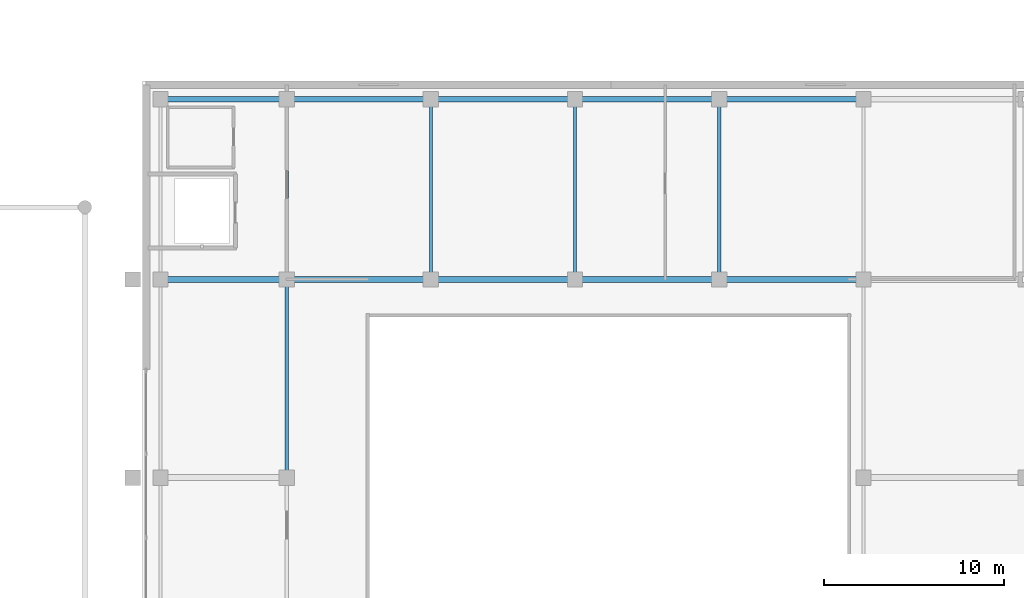
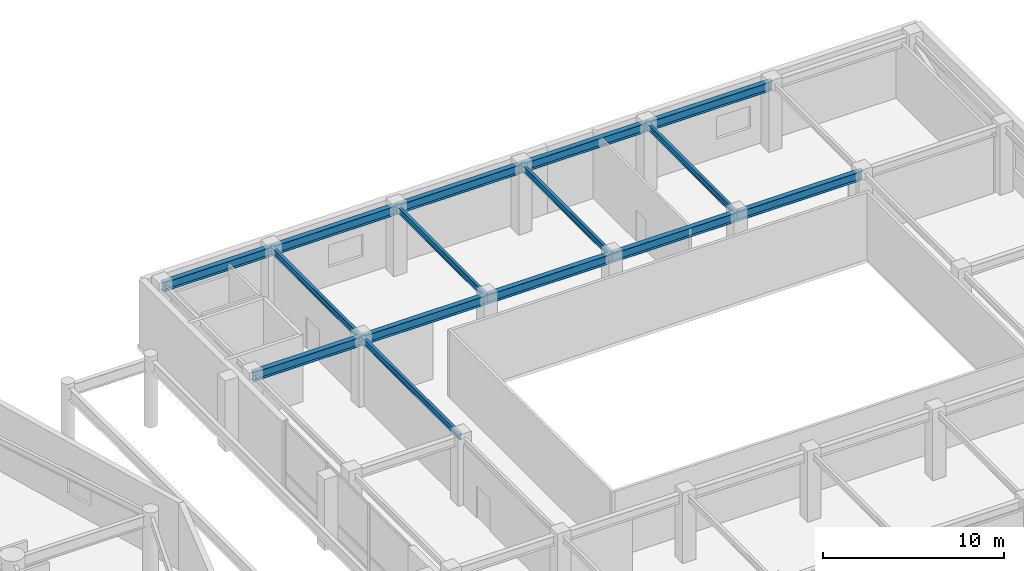
# One storey, part 21 of 40: 15 beams.
"""IFC4 building model written with IfcOpenShell, lengths in metres."""

from ifc_helpers import new_model, si_unit, direction, frame, origin, origin_2d, place, context, subcontext, project, spatial, i_section, extrude, material, material_profile, profile_set, type_object, element, save


model = new_model("IFC4")

# Units and contexts
model_context = context("Model", 3, precision=1e-05, world=origin(), true_north=direction((0.0, 1.0)))
body_context = subcontext(model_context, "Body", "Model", "MODEL_VIEW")
ifc_project = project(units=[si_unit("LENGTHUNIT", "METRE"), si_unit("AREAUNIT", "SQUARE_METRE"), si_unit("VOLUMEUNIT", "CUBIC_METRE"), si_unit("PLANEANGLEUNIT", "RADIAN"), si_unit("MASSUNIT", "GRAM", prefix="KILO")], contexts=[model_context])

# Site, building, storey
site_placement = place(None, origin())
site = spatial("IfcSite", under=ifc_project, at=site_placement, CompositionType="ELEMENT")
building_placement = place(site_placement, origin())
building = spatial("IfcBuilding", under=site, at=building_placement, Name="Kazevale Care Tower and Concert Hall", CompositionType="ELEMENT")
storey_placement = place(building_placement, frame((0.0, 0.0, 4.800048828125)))
storey = spatial("IfcBuildingStorey", under=building, at=storey_placement, Name="L01", CompositionType="ELEMENT", Elevation=4.800048828125)

# Beams
ifc_material = material(Name="Steel ASTM A572 Gr 50", Category="steel")
ifc_material_profile_1 = material_profile(ifc_material, i_section(OverallWidth=0.323974609375, OverallDepth=0.611083984375, WebThickness=0.0126953125, FlangeThickness=0.01904296875, at=origin_2d()), Name="W610x155")
ifc_profile_set_1 = profile_set([ifc_material_profile_1], Name="Steel ASTM A572 Gr 50")
beam_type_1 = type_object("IfcBeamType", Name="Concert Hall Frame Girder W610x155", PredefinedType="BEAM", material=ifc_profile_set_1)
beam_1_placement = place(storey_placement, frame((97.0, 47.0, 4.21435546875), z_axis=(1.0, 0.0, 0.0), x_axis=(0.0, 1.0, 0.0)))
element("IfcBeam", 1, at=beam_1_placement, inside=storey, type_object=beam_type_1, Name="beam:L01:hx:97_47", PredefinedType="BEAM", context=body_context, shape_type="SweptSolid", body=[
    extrude(i_section(OverallWidth=0.323974609375, OverallDepth=0.611083984375, WebThickness=0.0126953125, FlangeThickness=0.01904296875, at=origin_2d()), origin(), (0.0, 0.0, 1.0), 7.0),
])
for number, where, z_axis, x_axis, name in (
    (2, (104.0, 47.0, 4.21435546875), (1.0, 0.0, 0.0), (0.0, 1.0, 0.0), "beam:L01:hx:104_47"),
    (3, (112.0, 47.0, 4.21435546875), (1.0, 0.0, 0.0), (0.0, 1.0, 0.0), "beam:L01:hx:112_47"),
    (4, (120.0, 47.0, 4.21435546875), (1.0, 0.0, 0.0), (0.0, 1.0, 0.0), "beam:L01:hx:120_47"),
    (5, (128.0, 47.0, 4.21435546875), (1.0, 0.0, 0.0), (0.0, 1.0, 0.0), "beam:L01:hx:128_47"),
):
    element("IfcBeam", number, at=place(storey_placement, frame(where, z_axis=z_axis, x_axis=x_axis)), inside=storey, type_object=beam_type_1, Name=name, PredefinedType="BEAM", context=body_context, shape_type="SweptSolid", body=[
        extrude(i_section(OverallWidth=0.323974609375, OverallDepth=0.611083984375, WebThickness=0.0126953125, FlangeThickness=0.01904296875, at=origin_2d()), origin(), (0.0, 0.0, 1.0), 8.0),
    ])
beam_2_placement = place(storey_placement, frame((97.0, 57.0, 4.21435546875), z_axis=(1.0, 0.0, 0.0), x_axis=(0.0, 1.0, 0.0)))
element("IfcBeam", 6, at=beam_2_placement, inside=storey, type_object=beam_type_1, Name="beam:L01:hx:97_57", PredefinedType="BEAM", context=body_context, shape_type="SweptSolid", body=[
    extrude(i_section(OverallWidth=0.323974609375, OverallDepth=0.611083984375, WebThickness=0.0126953125, FlangeThickness=0.01904296875, at=origin_2d()), origin(), (0.0, 0.0, 1.0), 7.0),
])
for number, where, z_axis, x_axis, name in (
    (7, (104.0, 57.0, 4.21435546875), (1.0, 0.0, 0.0), (0.0, 1.0, 0.0), "beam:L01:hx:104_57"),
    (8, (112.0, 57.0, 4.21435546875), (1.0, 0.0, 0.0), (0.0, 1.0, 0.0), "beam:L01:hx:112_57"),
    (9, (120.0, 57.0, 4.21435546875), (1.0, 0.0, 0.0), (0.0, 1.0, 0.0), "beam:L01:hx:120_57"),
    (10, (128.0, 57.0, 4.21435546875), (1.0, 0.0, 0.0), (0.0, 1.0, 0.0), "beam:L01:hx:128_57"),
):
    element("IfcBeam", number, at=place(storey_placement, frame(where, z_axis=z_axis, x_axis=x_axis)), inside=storey, type_object=beam_type_1, Name=name, PredefinedType="BEAM", context=body_context, shape_type="SweptSolid", body=[
        extrude(i_section(OverallWidth=0.323974609375, OverallDepth=0.611083984375, WebThickness=0.0126953125, FlangeThickness=0.01904296875, at=origin_2d()), origin(), (0.0, 0.0, 1.0), 8.0),
    ])
ifc_material_profile_2 = material_profile(ifc_material, i_section(OverallWidth=0.180908203125, OverallDepth=0.4169921875, WebThickness=0.010986328125, FlangeThickness=0.018310546875, at=origin_2d()), Name="W410x85")
ifc_profile_set_2 = profile_set([ifc_material_profile_2], Name="Steel ASTM A572 Gr 50")
beam_type_2 = type_object("IfcBeamType", Name="Concert Hall Secondary Beam W410x85", PredefinedType="BEAM", material=ifc_profile_set_2)
beam_3_placement = place(storey_placement, frame((104.0, 36.0, 4.3115234375), z_axis=(0.0, 1.0, 0.0), x_axis=(-1.0, 0.0, 0.0)))
element("IfcBeam", 11, at=beam_3_placement, inside=storey, type_object=beam_type_2, Name="beam:L01:hy:104_36", PredefinedType="BEAM", context=body_context, shape_type="SweptSolid", body=[
    extrude(i_section(OverallWidth=0.180908203125, OverallDepth=0.4169921875, WebThickness=0.010986328125, FlangeThickness=0.018310546875, at=origin_2d()), origin(), (0.0, 0.0, 1.0), 11.0),
])
for number, where, z_axis, x_axis, name in (
    (12, (104.0, 47.0, 4.3115234375), (0.0, 1.0, 0.0), (-1.0, 0.0, 0.0), "beam:L01:hy:104_47"),
    (13, (112.0, 47.0, 4.3115234375), (0.0, 1.0, 0.0), (-1.0, 0.0, 0.0), "beam:L01:hy:112_47"),
    (14, (120.0, 47.0, 4.3115234375), (0.0, 1.0, 0.0), (-1.0, 0.0, 0.0), "beam:L01:hy:120_47"),
    (15, (128.0, 47.0, 4.3115234375), (0.0, 1.0, 0.0), (-1.0, 0.0, 0.0), "beam:L01:hy:128_47"),
):
    element("IfcBeam", number, at=place(storey_placement, frame(where, z_axis=z_axis, x_axis=x_axis)), inside=storey, type_object=beam_type_2, Name=name, PredefinedType="BEAM", context=body_context, shape_type="SweptSolid", body=[
        extrude(i_section(OverallWidth=0.180908203125, OverallDepth=0.4169921875, WebThickness=0.010986328125, FlangeThickness=0.018310546875, at=origin_2d()), origin(), (0.0, 0.0, 1.0), 10.0),
    ])

save(model, "model.ifc")
